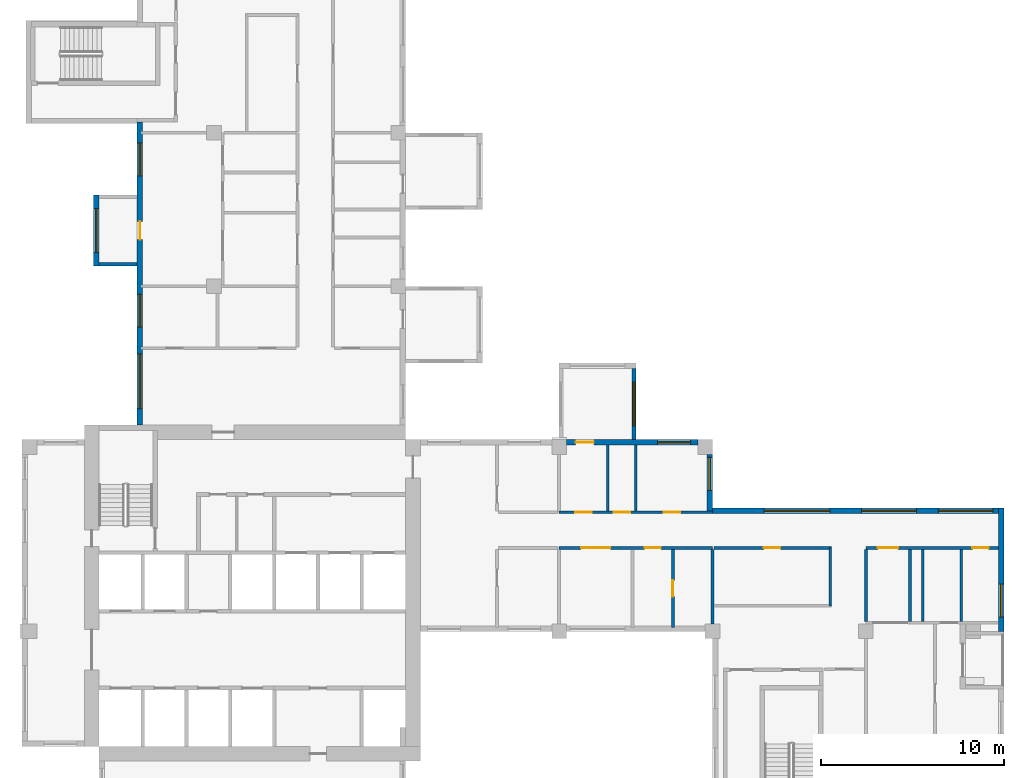
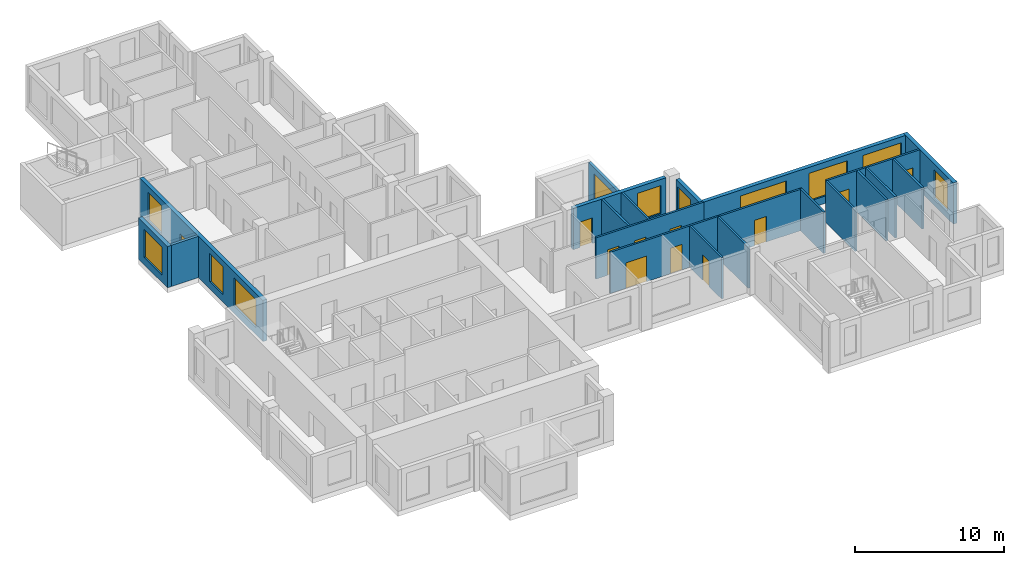
# One storey, part 5 of 11: 21 walls, 11 doors, 11 windows, 22 openings.
"""IFC4 building model written with IfcOpenShell, lengths in metres."""

from ifc_helpers import new_model, si_unit, direction, frame, frame_2d, origin, place, context, subcontext, project, spatial, rectangle, extrude, source, transform, mapped, material, layer, layer_set, type_object, element, fill, save


model = new_model("IFC4")

# Units and contexts
model_context = context("Model", 3, precision=1e-05, world=origin(), true_north=direction((0.0, 1.0)))
body_context = subcontext(model_context, "Body", "Model", "MODEL_VIEW")
ifc_project = project(units=[si_unit("LENGTHUNIT", "METRE"), si_unit("AREAUNIT", "SQUARE_METRE"), si_unit("VOLUMEUNIT", "CUBIC_METRE"), si_unit("PLANEANGLEUNIT", "RADIAN"), si_unit("MASSUNIT", "GRAM", prefix="KILO")], contexts=[model_context])

# Site, building, storey
site_placement = place(None, origin())
site = spatial("IfcSite", under=ifc_project, at=site_placement, CompositionType="ELEMENT")
building_placement = place(site_placement, origin())
building = spatial("IfcBuilding", under=site, at=building_placement, Name="Aurelian Terraces", CompositionType="ELEMENT")
storey_placement = place(building_placement, frame((0.0, 0.0, 257.6)))
storey = spatial("IfcBuildingStorey", under=building, at=storey_placement, Name="L59", CompositionType="ELEMENT", Elevation=257.6)

# Wall, opening, window
ifc_material_1 = material(Name="Concrete fc' 40 MPa", Category="concrete")
ifc_layer_1 = layer(ifc_material_1, 0.2)
ifc_layer_set_1 = layer_set([ifc_layer_1], Name="BOX BEARING WALL 200")
wall_type_1 = type_object("IfcWallType", Name="BOX BEARING WALL 200", PredefinedType="SOLIDWALL", material=ifc_layer_set_1)
shared_shape_1 = source(origin(), body_context, "Body", "SweptSolid", [
    extrude(rectangle(XDim=3.9, YDim=0.2, at=frame_2d((1.95, 0.0))), origin(), (0.0, 0.0, 1.0), 3.4),
])
wall_1_placement = place(storey_placement, frame((33.5, 21.0, 0.0), z_axis=(0.0, 0.0, 1.0), x_axis=(0.0, 1.0, 0.0)))
wall_1 = element("IfcWall", 1, at=wall_1_placement, inside=storey, type_object=wall_type_1, Name="Box return L59 J84.1", PredefinedType="SOLIDWALL", context=body_context, shape_type="MappedRepresentation", body=[
    mapped(shared_shape_1, transform((0.0, 0.0, 0.0), scale=1.0)),
])
shared_shape_2 = source(origin(), body_context, "Body", "SweptSolid", [
    extrude(rectangle(XDim=2.4, YDim=2.3, at=frame_2d((1.2, 1.15))), frame((0.0, 0.11, 0.0), z_axis=(0.0, -1.0, 0.0), x_axis=(1.0, 0.0, 0.0)), (0.0, 0.0, 1.0), 0.22),
])
opening_1_placement = place(wall_1_placement, frame((0.75, 0.0, 0.6)))
opening_1 = element("IfcOpeningElement", 2, at=opening_1_placement, cuts=wall_1, Name="Opening W2423", PredefinedType="OPENING", context=body_context, shape_type="MappedRepresentation", body=[
    mapped(shared_shape_2, transform((0.0, 0.0, 0.0), scale=1.0)),
])
ifc_material_2 = material(Name="Clear glazing", Category="glass")
window_type_1 = type_object("IfcWindowType", Name="W-2400x2300", PartitioningType="SINGLE_PANEL", PredefinedType="WINDOW", material=ifc_material_2)
shared_shape_3 = source(origin(), body_context, "Body", "SweptSolid", [
    extrude(rectangle(XDim=2.4, YDim=2.3, at=frame_2d((1.2, 1.15))), frame((0.0, 0.03, 0.0), z_axis=(0.0, -1.0, 0.0), x_axis=(1.0, 0.0, 0.0)), (0.0, 0.0, 1.0), 0.06),
])
window_1_placement = place(opening_1_placement, origin())
window_1 = element("IfcWindow", 3, at=window_1_placement, inside=storey, type_object=window_type_1, Name="Window L59 J84-S1", OverallHeight=2.3, OverallWidth=2.4, PartitioningType="SINGLE_PANEL", PredefinedType="WINDOW", context=body_context, shape_type="MappedRepresentation", body=[
    mapped(shared_shape_3, transform((0.0, 0.0, 0.0), scale=1.0)),
])
fill(opening_1, window_1)

# Wall, openings, windows, door
ifc_material_3 = material(Name="Terracotta rainscreen cladding", Category="masonry")
ifc_layer_2 = layer(ifc_material_3, 0.3)
ifc_layer_set_2 = layer_set([ifc_layer_2], Name="EW-300")
wall_type_2 = type_object("IfcWallType", Name="EW-300", PredefinedType="STANDARD", material=ifc_layer_set_2)
shared_shape_4 = source(origin(), body_context, "Body", "SweptSolid", [
    extrude(rectangle(XDim=16.6, YDim=0.3, at=frame_2d((8.3, 0.0))), origin(), (0.0, 0.0, 1.0), 3.4),
])
wall_2_placement = place(storey_placement, frame((6.45, 38.4, 0.0), z_axis=(0.0, 0.0, 1.0), x_axis=(0.0, -1.0, 0.0)))
wall_2 = element("IfcWall", 4, at=wall_2_placement, inside=storey, type_object=wall_type_2, Name="External wall L59 F20.32", PredefinedType="STANDARD", context=body_context, shape_type="MappedRepresentation", body=[
    mapped(shared_shape_4, transform((0.0, 0.0, 0.0), scale=1.0)),
])
shared_shape_5 = source(origin(), body_context, "Body", "SweptSolid", [
    extrude(rectangle(XDim=1.8, YDim=2.3, at=frame_2d((0.9, 1.15))), frame((0.0, 0.16, 0.0), z_axis=(0.0, -1.0, 0.0), x_axis=(1.0, 0.0, 0.0)), (0.0, 0.0, 1.0), 0.32),
])
opening_2_placement = place(wall_2_placement, frame((1.15, 0.0, 0.6)))
opening_2 = element("IfcOpeningElement", 5, at=opening_2_placement, cuts=wall_2, Name="Opening W1823", PredefinedType="OPENING", context=body_context, shape_type="MappedRepresentation", body=[
    mapped(shared_shape_5, transform((0.0, 0.0, 0.0), scale=1.0)),
])
opening_3_placement = place(wall_2_placement, frame((9.4375, 0.0, 0.6)))
opening_3 = element("IfcOpeningElement", 6, at=opening_3_placement, cuts=wall_2, Name="Opening W1823", PredefinedType="OPENING", context=body_context, shape_type="MappedRepresentation", body=[
    mapped(shared_shape_5, transform((0.0, 0.0, 0.0), scale=1.0)),
])
shared_shape_6 = source(origin(), body_context, "Body", "SweptSolid", [
    extrude(rectangle(XDim=3.0, YDim=2.3, at=frame_2d((1.5, 1.15))), frame((0.0, 0.16, 0.0), z_axis=(0.0, -1.0, 0.0), x_axis=(1.0, 0.0, 0.0)), (0.0, 0.0, 1.0), 0.32),
])
opening_4_placement = place(wall_2_placement, frame((12.7, 0.0, 0.6)))
opening_4 = element("IfcOpeningElement", 7, at=opening_4_placement, cuts=wall_2, Name="Opening W3023", PredefinedType="OPENING", context=body_context, shape_type="MappedRepresentation", body=[
    mapped(shared_shape_6, transform((0.0, 0.0, 0.0), scale=1.0)),
])
shared_shape_7 = source(origin(), body_context, "Body", "SweptSolid", [
    extrude(rectangle(XDim=1.0, YDim=2.1, at=frame_2d((0.5, 1.05))), frame((0.0, 0.16, 0.0), z_axis=(0.0, -1.0, 0.0), x_axis=(1.0, 0.0, 0.0)), (0.0, 0.0, 1.0), 0.32),
])
opening_5_placement = place(wall_2_placement, frame((5.45, 0.0, 0.0)))
opening_5 = element("IfcOpeningElement", 8, at=opening_5_placement, cuts=wall_2, Name="Opening 859003", PredefinedType="OPENING", context=body_context, shape_type="MappedRepresentation", body=[
    mapped(shared_shape_7, transform((0.0, 0.0, 0.0), scale=1.0)),
])
window_type_2 = type_object("IfcWindowType", Name="W-3000x2300", PartitioningType="SINGLE_PANEL", PredefinedType="WINDOW", material=ifc_material_2)
shared_shape_8 = source(origin(), body_context, "Body", "SweptSolid", [
    extrude(rectangle(XDim=3.0, YDim=2.3, at=frame_2d((1.5, 1.15))), frame((0.0, 0.03, 0.0), z_axis=(0.0, -1.0, 0.0), x_axis=(1.0, 0.0, 0.0)), (0.0, 0.0, 1.0), 0.06),
])
window_2_placement = place(opening_4_placement, origin())
window_2 = element("IfcWindow", 9, at=window_2_placement, inside=storey, type_object=window_type_2, Name="Window L59 L59-F20-32-3", OverallHeight=2.3, OverallWidth=3.0, PartitioningType="SINGLE_PANEL", PredefinedType="WINDOW", context=body_context, shape_type="MappedRepresentation", body=[
    mapped(shared_shape_8, transform((0.0, 0.0, 0.0), scale=1.0)),
])
fill(opening_4, window_2)
window_type_3 = type_object("IfcWindowType", Name="W-1800x2300", PartitioningType="SINGLE_PANEL", PredefinedType="WINDOW", material=ifc_material_2)
shared_shape_9 = source(origin(), body_context, "Body", "SweptSolid", [
    extrude(rectangle(XDim=1.8, YDim=2.3, at=frame_2d((0.9, 1.15))), frame((0.0, 0.03, 0.0), z_axis=(0.0, -1.0, 0.0), x_axis=(1.0, 0.0, 0.0)), (0.0, 0.0, 1.0), 0.06),
])
window_3_placement = place(opening_2_placement, origin())
window_3 = element("IfcWindow", 10, at=window_3_placement, inside=storey, type_object=window_type_3, Name="Window L59 L59-F20-32-0", OverallHeight=2.3, OverallWidth=1.8, PartitioningType="SINGLE_PANEL", PredefinedType="WINDOW", context=body_context, shape_type="MappedRepresentation", body=[
    mapped(shared_shape_9, transform((0.0, 0.0, 0.0), scale=1.0)),
])
fill(opening_2, window_3)
window_4_placement = place(opening_3_placement, origin())
window_4 = element("IfcWindow", 11, at=window_4_placement, inside=storey, type_object=window_type_3, Name="Window L59 L59-F20-32-2", OverallHeight=2.3, OverallWidth=1.8, PartitioningType="SINGLE_PANEL", PredefinedType="WINDOW", context=body_context, shape_type="MappedRepresentation", body=[
    mapped(shared_shape_9, transform((0.0, 0.0, 0.0), scale=1.0)),
])
fill(opening_3, window_4)
ifc_material_4 = material(Name="Timber door leaf", Category="wood")
door_type_1 = type_object("IfcDoorType", Name="Room door 1000x2100 left", OperationType="SINGLE_SWING_LEFT", PredefinedType="DOOR", material=ifc_material_4)
shared_shape_10 = source(origin(), body_context, "Body", "SweptSolid", [
    extrude(rectangle(XDim=1.0, YDim=2.1, at=frame_2d((0.5, 1.05))), frame((0.0, 0.025, 0.0), z_axis=(0.0, -1.0, 0.0), x_axis=(1.0, 0.0, 0.0)), (0.0, 0.0, 1.0), 0.05),
])
door_1_placement = place(opening_5_placement, origin())
door_1 = element("IfcDoor", 12, at=door_1_placement, inside=storey, type_object=door_type_1, Name="Door 859003", OperationType="SINGLE_SWING_LEFT", OverallHeight=2.1, OverallWidth=1.0, PredefinedType="DOOR", context=body_context, shape_type="MappedRepresentation", body=[
    mapped(shared_shape_10, transform((0.0, 0.0, 0.0), scale=1.0)),
])
fill(opening_5, door_1)

# Wall
shared_shape_11 = source(origin(), body_context, "Body", "SweptSolid", [
    extrude(rectangle(XDim=2.1, YDim=0.2, at=frame_2d((1.05, 0.0))), origin(), (0.0, 0.0, 1.0), 3.4),
])
wall_3_placement = place(storey_placement, frame((6.3, 30.6, 0.0), z_axis=(0.0, 0.0, 1.0), x_axis=(-1.0, 0.0, 0.0)))
element("IfcWall", 13, at=wall_3_placement, inside=storey, type_object=wall_type_1, Name="Box return L59 J85.2", PredefinedType="SOLIDWALL", context=body_context, shape_type="MappedRepresentation", body=[
    mapped(shared_shape_11, transform((0.0, 0.0, 0.0), scale=1.0)),
])

# Wall, opening, window
shared_shape_12 = source(origin(), body_context, "Body", "SweptSolid", [
    extrude(rectangle(XDim=6.75, YDim=0.3, at=frame_2d((3.375, 0.0))), origin(), (0.0, 0.0, 1.0), 3.4),
])
wall_4_placement = place(storey_placement, frame((53.61, 10.5, 0.0), z_axis=(0.0, 0.0, 1.0), x_axis=(0.0, 1.0, 0.0)))
wall_4 = element("IfcWall", 14, at=wall_4_placement, inside=storey, type_object=wall_type_2, Name="External wall L59 F08.15", PredefinedType="STANDARD", context=body_context, shape_type="MappedRepresentation", body=[
    mapped(shared_shape_12, transform((0.0, 0.0, 0.0), scale=1.0)),
])
opening_6_placement = place(wall_4_placement, frame((0.7875, 0.0, 0.6)))
opening_6 = element("IfcOpeningElement", 15, at=opening_6_placement, cuts=wall_4, Name="Opening W1823", PredefinedType="OPENING", context=body_context, shape_type="MappedRepresentation", body=[
    mapped(shared_shape_5, transform((0.0, 0.0, 0.0), scale=1.0)),
])
window_5_placement = place(opening_6_placement, origin())
window_5 = element("IfcWindow", 16, at=window_5_placement, inside=storey, type_object=window_type_3, Name="Window L59 L59-F08-15-0", OverallHeight=2.3, OverallWidth=1.8, PartitioningType="SINGLE_PANEL", PredefinedType="WINDOW", context=body_context, shape_type="MappedRepresentation", body=[
    mapped(shared_shape_9, transform((0.0, 0.0, 0.0), scale=1.0)),
])
fill(opening_6, window_5)

ifc_layer_3 = layer(ifc_material_1, 0.3)
ifc_layer_set_3 = layer_set([ifc_layer_3], Name="BOX BEARING WALL 300")
wall_type_3 = type_object("IfcWallType", Name="BOX BEARING WALL 300", PredefinedType="SOLIDWALL", material=ifc_layer_set_3)
shared_shape_13 = source(origin(), body_context, "Body", "SweptSolid", [
    extrude(rectangle(XDim=3.9, YDim=0.3, at=frame_2d((1.95, 0.0))), origin(), (0.0, 0.0, 1.0), 3.4),
])
wall_5_placement = place(storey_placement, frame((4.05, 34.4, 0.0), z_axis=(0.0, 0.0, 1.0), x_axis=(0.0, -1.0, 0.0)))
wall_5 = element("IfcWall", 17, at=wall_5_placement, inside=storey, type_object=wall_type_3, Name="Box wall L59 J85", PredefinedType="SOLIDWALL", context=body_context, shape_type="MappedRepresentation", body=[
    mapped(shared_shape_13, transform((0.0, 0.0, 0.0), scale=1.0)),
])
shared_shape_14 = source(origin(), body_context, "Body", "SweptSolid", [
    extrude(rectangle(XDim=2.4, YDim=2.3, at=frame_2d((1.2, 1.15))), frame((0.0, 0.16, 0.0), z_axis=(0.0, -1.0, 0.0), x_axis=(1.0, 0.0, 0.0)), (0.0, 0.0, 1.0), 0.32),
])
opening_7_placement = place(wall_5_placement, frame((0.75, 0.0, 0.6)))
opening_7 = element("IfcOpeningElement", 18, at=opening_7_placement, cuts=wall_5, Name="Opening W2423", PredefinedType="OPENING", context=body_context, shape_type="MappedRepresentation", body=[
    mapped(shared_shape_14, transform((0.0, 0.0, 0.0), scale=1.0)),
])
window_6_placement = place(opening_7_placement, origin())
window_6 = element("IfcWindow", 19, at=window_6_placement, inside=storey, type_object=window_type_1, Name="Window L59 J85-F1", OverallHeight=2.3, OverallWidth=2.4, PartitioningType="SINGLE_PANEL", PredefinedType="WINDOW", context=body_context, shape_type="MappedRepresentation", body=[
    mapped(shared_shape_3, transform((0.0, 0.0, 0.0), scale=1.0)),
])
fill(opening_7, window_6)

# Wall, openings, windows
shared_shape_15 = source(origin(), body_context, "Body", "SweptSolid", [
    extrude(rectangle(XDim=15.96, YDim=0.3, at=frame_2d((7.98, 0.0))), origin(), (0.0, 0.0, 1.0), 3.4),
])
wall_6_placement = place(storey_placement, frame((53.76, 17.1, 0.0), z_axis=(0.0, 0.0, 1.0), x_axis=(-1.0, 0.0, 0.0)))
wall_6 = element("IfcWall", 20, at=wall_6_placement, inside=storey, type_object=wall_type_2, Name="External wall L59 F09.16", PredefinedType="STANDARD", context=body_context, shape_type="MappedRepresentation", body=[
    mapped(shared_shape_15, transform((0.0, 0.0, 0.0), scale=1.0)),
])
opening_8_placement = place(wall_6_placement, frame((0.6, 0.0, 0.6)))
opening_8 = element("IfcOpeningElement", 21, at=opening_8_placement, cuts=wall_6, Name="Opening W3023", PredefinedType="OPENING", context=body_context, shape_type="MappedRepresentation", body=[
    mapped(shared_shape_6, transform((0.0, 0.0, 0.0), scale=1.0)),
])
opening_9_placement = place(wall_6_placement, frame((4.8, 0.0, 0.6)))
opening_9 = element("IfcOpeningElement", 22, at=opening_9_placement, cuts=wall_6, Name="Opening W3023", PredefinedType="OPENING", context=body_context, shape_type="MappedRepresentation", body=[
    mapped(shared_shape_6, transform((0.0, 0.0, 0.0), scale=1.0)),
])
shared_shape_16 = source(origin(), body_context, "Body", "SweptSolid", [
    extrude(rectangle(XDim=3.6, YDim=2.3, at=frame_2d((1.8, 1.15))), frame((0.0, 0.16, 0.0), z_axis=(0.0, -1.0, 0.0), x_axis=(1.0, 0.0, 0.0)), (0.0, 0.0, 1.0), 0.32),
])
opening_10_placement = place(wall_6_placement, frame((9.54, 0.0, 0.6)))
opening_10 = element("IfcOpeningElement", 23, at=opening_10_placement, cuts=wall_6, Name="Opening W3623", PredefinedType="OPENING", context=body_context, shape_type="MappedRepresentation", body=[
    mapped(shared_shape_16, transform((0.0, 0.0, 0.0), scale=1.0)),
])
window_type_4 = type_object("IfcWindowType", Name="W-3600x2300", PartitioningType="SINGLE_PANEL", PredefinedType="WINDOW", material=ifc_material_2)
shared_shape_17 = source(origin(), body_context, "Body", "SweptSolid", [
    extrude(rectangle(XDim=3.6, YDim=2.3, at=frame_2d((1.8, 1.15))), frame((0.0, 0.03, 0.0), z_axis=(0.0, -1.0, 0.0), x_axis=(1.0, 0.0, 0.0)), (0.0, 0.0, 1.0), 0.06),
])
window_7_placement = place(opening_10_placement, origin())
window_7 = element("IfcWindow", 24, at=window_7_placement, inside=storey, type_object=window_type_4, Name="Window L59 L59-F09-16-2", OverallHeight=2.3, OverallWidth=3.6, PartitioningType="SINGLE_PANEL", PredefinedType="WINDOW", context=body_context, shape_type="MappedRepresentation", body=[
    mapped(shared_shape_17, transform((0.0, 0.0, 0.0), scale=1.0)),
])
fill(opening_10, window_7)
window_8_placement = place(opening_8_placement, origin())
window_8 = element("IfcWindow", 25, at=window_8_placement, inside=storey, type_object=window_type_2, Name="Window L59 L59-F09-16-0", OverallHeight=2.3, OverallWidth=3.0, PartitioningType="SINGLE_PANEL", PredefinedType="WINDOW", context=body_context, shape_type="MappedRepresentation", body=[
    mapped(shared_shape_8, transform((0.0, 0.0, 0.0), scale=1.0)),
])
fill(opening_8, window_8)
window_9_placement = place(opening_9_placement, origin())
window_9 = element("IfcWindow", 26, at=window_9_placement, inside=storey, type_object=window_type_2, Name="Window L59 L59-F09-16-1", OverallHeight=2.3, OverallWidth=3.0, PartitioningType="SINGLE_PANEL", PredefinedType="WINDOW", context=body_context, shape_type="MappedRepresentation", body=[
    mapped(shared_shape_8, transform((0.0, 0.0, 0.0), scale=1.0)),
])
fill(opening_9, window_9)

# Wall, openings, window, door
shared_shape_18 = source(origin(), body_context, "Body", "SweptSolid", [
    extrude(rectangle(XDim=7.2, YDim=0.3, at=frame_2d((3.6, 0.0))), origin(), (0.0, 0.0, 1.0), 3.4),
])
wall_7_placement = place(storey_placement, frame((37.0, 20.85, 0.0), z_axis=(0.0, 0.0, 1.0), x_axis=(-1.0, 0.0, 0.0)))
wall_7 = element("IfcWall", 27, at=wall_7_placement, inside=storey, type_object=wall_type_2, Name="External wall L59 F11.18", PredefinedType="STANDARD", context=body_context, shape_type="MappedRepresentation", body=[
    mapped(shared_shape_18, transform((0.0, 0.0, 0.0), scale=1.0)),
])
opening_11_placement = place(wall_7_placement, frame((0.4, 0.0, 0.6)))
opening_11 = element("IfcOpeningElement", 28, at=opening_11_placement, cuts=wall_7, Name="Opening W1823", PredefinedType="OPENING", context=body_context, shape_type="MappedRepresentation", body=[
    mapped(shared_shape_5, transform((0.0, 0.0, 0.0), scale=1.0)),
])
opening_12_placement = place(wall_7_placement, frame((5.7, 0.0, 0.0)))
opening_12 = element("IfcOpeningElement", 29, at=opening_12_placement, cuts=wall_7, Name="Opening 859002", PredefinedType="OPENING", context=body_context, shape_type="MappedRepresentation", body=[
    mapped(shared_shape_7, transform((0.0, 0.0, 0.0), scale=1.0)),
])
window_10_placement = place(opening_11_placement, origin())
window_10 = element("IfcWindow", 30, at=window_10_placement, inside=storey, type_object=window_type_3, Name="Window L59 L59-F11-18-0", OverallHeight=2.3, OverallWidth=1.8, PartitioningType="SINGLE_PANEL", PredefinedType="WINDOW", context=body_context, shape_type="MappedRepresentation", body=[
    mapped(shared_shape_9, transform((0.0, 0.0, 0.0), scale=1.0)),
])
fill(opening_11, window_10)
door_2_placement = place(opening_12_placement, origin())
door_2 = element("IfcDoor", 31, at=door_2_placement, inside=storey, type_object=door_type_1, Name="Door 859002", OperationType="SINGLE_SWING_LEFT", OverallHeight=2.1, OverallWidth=1.0, PredefinedType="DOOR", context=body_context, shape_type="MappedRepresentation", body=[
    mapped(shared_shape_10, transform((0.0, 0.0, 0.0), scale=1.0)),
])
fill(opening_12, door_2)

# Wall, opening, window
shared_shape_19 = source(origin(), body_context, "Body", "SweptSolid", [
    extrude(rectangle(XDim=3.1, YDim=0.3, at=frame_2d((1.55, 0.0))), origin(), (0.0, 0.0, 1.0), 3.4),
])
wall_8_placement = place(storey_placement, frame((37.65, 17.1, 0.0), z_axis=(0.0, 0.0, 1.0), x_axis=(0.0, 1.0, 0.0)))
wall_8 = element("IfcWall", 32, at=wall_8_placement, inside=storey, type_object=wall_type_2, Name="External wall L59 F10.17", PredefinedType="STANDARD", context=body_context, shape_type="MappedRepresentation", body=[
    mapped(shared_shape_19, transform((0.0, 0.0, 0.0), scale=1.0)),
])
opening_13_placement = place(wall_8_placement, frame((1.125, 0.0, 0.6)))
opening_13 = element("IfcOpeningElement", 33, at=opening_13_placement, cuts=wall_8, Name="Opening W1823", PredefinedType="OPENING", context=body_context, shape_type="MappedRepresentation", body=[
    mapped(shared_shape_5, transform((0.0, 0.0, 0.0), scale=1.0)),
])
window_11_placement = place(opening_13_placement, origin())
window_11 = element("IfcWindow", 34, at=window_11_placement, inside=storey, type_object=window_type_3, Name="Window L59 L59-F10-17-0", OverallHeight=2.3, OverallWidth=1.8, PartitioningType="SINGLE_PANEL", PredefinedType="WINDOW", context=body_context, shape_type="MappedRepresentation", body=[
    mapped(shared_shape_9, transform((0.0, 0.0, 0.0), scale=1.0)),
])
fill(opening_13, window_11)

# Wall, opening, door
ifc_material_5 = material(Name="Gypsum board on steel studs", Category="steel")
ifc_layer_4 = layer(ifc_material_5, 0.15)
ifc_layer_set_4 = layer_set([ifc_layer_4], Name="Fire partition 150")
wall_type_4 = type_object("IfcWallType", Name="Fire partition 150", PredefinedType="PARTITIONING", material=ifc_layer_set_4)
shared_shape_20 = source(origin(), body_context, "Body", "SweptSolid", [
    extrude(rectangle(XDim=6.45, YDim=0.15, at=frame_2d((3.225, 0.0))), origin(), (0.0, 0.0, 1.0), 3.4),
])
wall_9_placement = place(storey_placement, frame((44.325, 15.075, 0.0), z_axis=(0.0, 0.0, 1.0), x_axis=(-1.0, 0.0, 0.0)))
wall_9 = element("IfcWall", 35, at=wall_9_placement, inside=storey, type_object=wall_type_4, Name="Corridor wall", PredefinedType="PARTITIONING", context=body_context, shape_type="MappedRepresentation", body=[
    mapped(shared_shape_20, transform((0.0, 0.0, 0.0), scale=1.0)),
])
shared_shape_21 = source(origin(), body_context, "Body", "SweptSolid", [
    extrude(rectangle(XDim=0.9, YDim=2.1, at=frame_2d((0.45, 1.05))), frame((0.0, 0.085, 0.0), z_axis=(0.0, -1.0, 0.0), x_axis=(1.0, 0.0, 0.0)), (0.0, 0.0, 1.0), 0.17),
])
opening_14_placement = place(wall_9_placement, frame((2.8125, 0.0, 0.0)))
opening_14 = element("IfcOpeningElement", 36, at=opening_14_placement, cuts=wall_9, Name="Opening 759003", PredefinedType="OPENING", context=body_context, shape_type="MappedRepresentation", body=[
    mapped(shared_shape_21, transform((0.0, 0.0, 0.0), scale=1.0)),
])
door_type_2 = type_object("IfcDoorType", Name="Room door 900x2100 left", OperationType="SINGLE_SWING_LEFT", PredefinedType="DOOR", material=ifc_material_4)
shared_shape_22 = source(origin(), body_context, "Body", "SweptSolid", [
    extrude(rectangle(XDim=0.9, YDim=2.1, at=frame_2d((0.45, 1.05))), frame((0.0, 0.025, 0.0), z_axis=(0.0, -1.0, 0.0), x_axis=(1.0, 0.0, 0.0)), (0.0, 0.0, 1.0), 0.05),
])
door_3_placement = place(opening_14_placement, origin())
door_3 = element("IfcDoor", 37, at=door_3_placement, inside=storey, type_object=door_type_2, Name="Door 759003", OperationType="SINGLE_SWING_LEFT", OverallHeight=2.1, OverallWidth=0.9, PredefinedType="DOOR", context=body_context, shape_type="MappedRepresentation", body=[
    mapped(shared_shape_22, transform((0.0, 0.0, 0.0), scale=1.0)),
])
fill(opening_14, door_3)

# Walls
ifc_layer_5 = layer(ifc_material_5, 0.15)
ifc_layer_set_5 = layer_set([ifc_layer_5], Name="Partition 150")
wall_type_5 = type_object("IfcWallType", Name="Partition 150", PredefinedType="PARTITIONING", material=ifc_layer_set_5)
shared_shape_23 = source(origin(), body_context, "Body", "SweptSolid", [
    extrude(rectangle(XDim=3.6, YDim=0.15, at=frame_2d((1.8, 0.0))), origin(), (0.0, 0.0, 1.0), 3.4),
])
wall_10_placement = place(storey_placement, frame((32.067, 20.7, 0.0), z_axis=(0.0, 0.0, 1.0), x_axis=(0.0, -1.0, 0.0)))
element("IfcWall", 38, at=wall_10_placement, inside=storey, type_object=wall_type_5, Name="Partition", PredefinedType="PARTITIONING", context=body_context, shape_type="MappedRepresentation", body=[
    mapped(shared_shape_23, transform((0.0, 0.0, 0.0), scale=1.0)),
])
wall_11_placement = place(storey_placement, frame((33.6, 17.1, 0.0), z_axis=(0.0, 0.0, 1.0), x_axis=(0.0, 1.0, 0.0)))
element("IfcWall", 39, at=wall_11_placement, inside=storey, type_object=wall_type_4, Name="Party wall", PredefinedType="PARTITIONING", context=body_context, shape_type="MappedRepresentation", body=[
    mapped(shared_shape_23, transform((0.0, 0.0, 0.0), scale=1.0)),
])

# Wall, openings, doors
shared_shape_24 = source(origin(), body_context, "Body", "SweptSolid", [
    extrude(rectangle(XDim=8.4, YDim=0.15, at=frame_2d((4.2, 0.0))), origin(), (0.0, 0.0, 1.0), 3.4),
])
wall_12_placement = place(storey_placement, frame((37.8, 15.075, 0.0), z_axis=(0.0, 0.0, 1.0), x_axis=(-1.0, 0.0, 0.0)))
wall_12 = element("IfcWall", 40, at=wall_12_placement, inside=storey, type_object=wall_type_4, Name="Corridor wall", PredefinedType="PARTITIONING", context=body_context, shape_type="MappedRepresentation", body=[
    mapped(shared_shape_24, transform((0.0, 0.0, 0.0), scale=1.0)),
])
shared_shape_25 = source(origin(), body_context, "Body", "SweptSolid", [
    extrude(rectangle(XDim=1.6, YDim=2.1, at=frame_2d((0.8, 1.05))), frame((0.0, 0.085, 0.0), z_axis=(0.0, -1.0, 0.0), x_axis=(1.0, 0.0, 0.0)), (0.0, 0.0, 1.0), 0.17),
])
opening_15_placement = place(wall_12_placement, frame((5.5888, 0.0, 0.0)))
opening_15 = element("IfcOpeningElement", 41, at=opening_15_placement, cuts=wall_12, Name="Opening 759005", PredefinedType="OPENING", context=body_context, shape_type="MappedRepresentation", body=[
    mapped(shared_shape_25, transform((0.0, 0.0, 0.0), scale=1.0)),
])
opening_16_placement = place(wall_12_placement, frame((2.8224, 0.0, 0.0)))
opening_16 = element("IfcOpeningElement", 42, at=opening_16_placement, cuts=wall_12, Name="Opening 759006", PredefinedType="OPENING", context=body_context, shape_type="MappedRepresentation", body=[
    mapped(shared_shape_21, transform((0.0, 0.0, 0.0), scale=1.0)),
])
ifc_material_6 = material(Name="Steel door leaf", Category="steel")
door_type_3 = type_object("IfcDoorType", Name="Entrance fire door 900x2100 right", OperationType="SINGLE_SWING_RIGHT", PredefinedType="DOOR", material=ifc_material_6)
door_4_placement = place(opening_16_placement, origin())
door_4 = element("IfcDoor", 43, at=door_4_placement, inside=storey, type_object=door_type_3, Name="Door 759006", OperationType="SINGLE_SWING_RIGHT", OverallHeight=2.1, OverallWidth=0.9, PredefinedType="DOOR", context=body_context, shape_type="MappedRepresentation", body=[
    mapped(shared_shape_22, transform((0.0, 0.0, 0.0), scale=1.0)),
])
fill(opening_16, door_4)
door_type_4 = type_object("IfcDoorType", Name="Entrance fire door 1600x2100 right", OperationType="SINGLE_SWING_RIGHT", PredefinedType="DOOR", material=ifc_material_6)
shared_shape_26 = source(origin(), body_context, "Body", "SweptSolid", [
    extrude(rectangle(XDim=1.6, YDim=2.1, at=frame_2d((0.8, 1.05))), frame((0.0, 0.025, 0.0), z_axis=(0.0, -1.0, 0.0), x_axis=(1.0, 0.0, 0.0)), (0.0, 0.0, 1.0), 0.05),
])
door_5_placement = place(opening_15_placement, origin())
door_5 = element("IfcDoor", 44, at=door_5_placement, inside=storey, type_object=door_type_4, Name="Door 759005", OperationType="SINGLE_SWING_RIGHT", OverallHeight=2.1, OverallWidth=1.6, PredefinedType="DOOR", context=body_context, shape_type="MappedRepresentation", body=[
    mapped(shared_shape_26, transform((0.0, 0.0, 0.0), scale=1.0)),
])
fill(opening_15, door_5)

wall_13_placement = place(storey_placement, frame((29.4, 17.025, 0.0), z_axis=(0.0, 0.0, 1.0), x_axis=(1.0, 0.0, 0.0)))
wall_13 = element("IfcWall", 45, at=wall_13_placement, inside=storey, type_object=wall_type_4, Name="Corridor wall", PredefinedType="PARTITIONING", context=body_context, shape_type="MappedRepresentation", body=[
    mapped(shared_shape_24, transform((0.0, 0.0, 0.0), scale=1.0)),
])
opening_17_placement = place(wall_13_placement, frame((0.8835, 0.0, 0.0)))
opening_17 = element("IfcOpeningElement", 46, at=opening_17_placement, cuts=wall_13, Name="Opening 759013", PredefinedType="OPENING", context=body_context, shape_type="MappedRepresentation", body=[
    mapped(shared_shape_21, transform((0.0, 0.0, 0.0), scale=1.0)),
])
opening_18_placement = place(wall_13_placement, frame((2.9835, 0.0, 0.0)))
opening_18 = element("IfcOpeningElement", 47, at=opening_18_placement, cuts=wall_13, Name="Opening 759014", PredefinedType="OPENING", context=body_context, shape_type="MappedRepresentation", body=[
    mapped(shared_shape_21, transform((0.0, 0.0, 0.0), scale=1.0)),
])
opening_19_placement = place(wall_13_placement, frame((5.7375, 0.0, 0.0)))
opening_19 = element("IfcOpeningElement", 48, at=opening_19_placement, cuts=wall_13, Name="Opening 759036", PredefinedType="OPENING", context=body_context, shape_type="MappedRepresentation", body=[
    mapped(shared_shape_21, transform((0.0, 0.0, 0.0), scale=1.0)),
])
door_6_placement = place(opening_17_placement, origin())
door_6 = element("IfcDoor", 49, at=door_6_placement, inside=storey, type_object=door_type_3, Name="Door 759013", OperationType="SINGLE_SWING_RIGHT", OverallHeight=2.1, OverallWidth=0.9, PredefinedType="DOOR", context=body_context, shape_type="MappedRepresentation", body=[
    mapped(shared_shape_22, transform((0.0, 0.0, 0.0), scale=1.0)),
])
fill(opening_17, door_6)
door_type_5 = type_object("IfcDoorType", Name="Entrance fire door 900x2100 left", OperationType="SINGLE_SWING_LEFT", PredefinedType="DOOR", material=ifc_material_6)
door_7_placement = place(opening_18_placement, origin())
door_7 = element("IfcDoor", 50, at=door_7_placement, inside=storey, type_object=door_type_5, Name="Door 759014", OperationType="SINGLE_SWING_LEFT", OverallHeight=2.1, OverallWidth=0.9, PredefinedType="DOOR", context=body_context, shape_type="MappedRepresentation", body=[
    mapped(shared_shape_22, transform((0.0, 0.0, 0.0), scale=1.0)),
])
fill(opening_18, door_7)
door_8_placement = place(opening_19_placement, origin())
door_8 = element("IfcDoor", 51, at=door_8_placement, inside=storey, type_object=door_type_2, Name="Door 759036", OperationType="SINGLE_SWING_LEFT", OverallHeight=2.1, OverallWidth=0.9, PredefinedType="DOOR", context=body_context, shape_type="MappedRepresentation", body=[
    mapped(shared_shape_22, transform((0.0, 0.0, 0.0), scale=1.0)),
])
fill(opening_19, door_8)

shared_shape_27 = source(origin(), body_context, "Body", "SweptSolid", [
    extrude(rectangle(XDim=7.26, YDim=0.15, at=frame_2d((3.63, 0.0))), origin(), (0.0, 0.0, 1.0), 3.4),
])
wall_14_placement = place(storey_placement, frame((53.46, 15.075, 0.0), z_axis=(0.0, 0.0, 1.0), x_axis=(-1.0, 0.0, 0.0)))
wall_14 = element("IfcWall", 52, at=wall_14_placement, inside=storey, type_object=wall_type_4, Name="Corridor wall", PredefinedType="PARTITIONING", context=body_context, shape_type="MappedRepresentation", body=[
    mapped(shared_shape_27, transform((0.0, 0.0, 0.0), scale=1.0)),
])
shared_shape_28 = source(origin(), body_context, "Body", "SweptSolid", [
    extrude(rectangle(XDim=1.1, YDim=2.1, at=frame_2d((0.55, 1.05))), frame((0.0, 0.085, 0.0), z_axis=(0.0, -1.0, 0.0), x_axis=(1.0, 0.0, 0.0)), (0.0, 0.0, 1.0), 0.17),
])
opening_20_placement = place(wall_14_placement, frame((5.5018, 0.0, 0.0)))
opening_20 = element("IfcOpeningElement", 53, at=opening_20_placement, cuts=wall_14, Name="Opening 759007", PredefinedType="OPENING", context=body_context, shape_type="MappedRepresentation", body=[
    mapped(shared_shape_28, transform((0.0, 0.0, 0.0), scale=1.0)),
])
opening_21_placement = place(wall_14_placement, frame((0.5364, 0.0, 0.0)))
opening_21 = element("IfcOpeningElement", 54, at=opening_21_placement, cuts=wall_14, Name="Opening 759011", PredefinedType="OPENING", context=body_context, shape_type="MappedRepresentation", body=[
    mapped(shared_shape_21, transform((0.0, 0.0, 0.0), scale=1.0)),
])
door_9_placement = place(opening_21_placement, origin())
door_9 = element("IfcDoor", 55, at=door_9_placement, inside=storey, type_object=door_type_3, Name="Door 759011", OperationType="SINGLE_SWING_RIGHT", OverallHeight=2.1, OverallWidth=0.9, PredefinedType="DOOR", context=body_context, shape_type="MappedRepresentation", body=[
    mapped(shared_shape_22, transform((0.0, 0.0, 0.0), scale=1.0)),
])
fill(opening_21, door_9)
door_type_6 = type_object("IfcDoorType", Name="Entrance fire door 1100x2100 right", OperationType="SINGLE_SWING_RIGHT", PredefinedType="DOOR", material=ifc_material_6)
shared_shape_29 = source(origin(), body_context, "Body", "SweptSolid", [
    extrude(rectangle(XDim=1.1, YDim=2.1, at=frame_2d((0.55, 1.05))), frame((0.0, 0.025, 0.0), z_axis=(0.0, -1.0, 0.0), x_axis=(1.0, 0.0, 0.0)), (0.0, 0.0, 1.0), 0.05),
])
door_10_placement = place(opening_20_placement, origin())
door_10 = element("IfcDoor", 56, at=door_10_placement, inside=storey, type_object=door_type_6, Name="Door 759007", OperationType="SINGLE_SWING_RIGHT", OverallHeight=2.1, OverallWidth=1.1, PredefinedType="DOOR", context=body_context, shape_type="MappedRepresentation", body=[
    mapped(shared_shape_29, transform((0.0, 0.0, 0.0), scale=1.0)),
])
fill(opening_20, door_10)

# Wall, opening, door
shared_shape_30 = source(origin(), body_context, "Body", "SweptSolid", [
    extrude(rectangle(XDim=4.295, YDim=0.15, at=frame_2d((2.1475, 0.0))), origin(), (0.0, 0.0, 1.0), 3.4),
])
wall_15_placement = place(storey_placement, frame((35.6329, 10.705, 0.0), z_axis=(0.0, 0.0, 1.0), x_axis=(0.0, 1.0, 0.0)))
wall_15 = element("IfcWall", 57, at=wall_15_placement, inside=storey, type_object=wall_type_5, Name="Partition", PredefinedType="PARTITIONING", context=body_context, shape_type="MappedRepresentation", body=[
    mapped(shared_shape_30, transform((0.0, 0.0, 0.0), scale=1.0)),
])
opening_22_placement = place(wall_15_placement, frame((1.6975, 0.0, 0.0)))
opening_22 = element("IfcOpeningElement", 58, at=opening_22_placement, cuts=wall_15, Name="Opening 759035", PredefinedType="OPENING", context=body_context, shape_type="MappedRepresentation", body=[
    mapped(shared_shape_21, transform((0.0, 0.0, 0.0), scale=1.0)),
])
door_11_placement = place(opening_22_placement, origin())
door_11 = element("IfcDoor", 59, at=door_11_placement, inside=storey, type_object=door_type_2, Name="Door 759035", OperationType="SINGLE_SWING_LEFT", OverallHeight=2.1, OverallWidth=0.9, PredefinedType="DOOR", context=body_context, shape_type="MappedRepresentation", body=[
    mapped(shared_shape_22, transform((0.0, 0.0, 0.0), scale=1.0)),
])
fill(opening_22, door_11)

# Walls
shared_shape_31 = source(origin(), body_context, "Body", "SweptSolid", [
    extrude(rectangle(XDim=3.175, YDim=0.15, at=frame_2d((1.5875, 0.0))), origin(), (0.0, 0.0, 1.0), 3.4),
])
wall_16_placement = place(storey_placement, frame((44.25, 11.9, 0.0), z_axis=(0.0, 0.0, 1.0), x_axis=(0.0, 1.0, 0.0)))
element("IfcWall", 60, at=wall_16_placement, inside=storey, type_object=wall_type_5, Name="Partition", PredefinedType="PARTITIONING", context=body_context, shape_type="MappedRepresentation", body=[
    mapped(shared_shape_31, transform((0.0, 0.0, 0.0), scale=1.0)),
])
shared_shape_32 = source(origin(), body_context, "Body", "SweptSolid", [
    extrude(rectangle(XDim=3.95, YDim=0.15, at=frame_2d((1.975, 0.0))), origin(), (0.0, 0.0, 1.0), 3.4),
])
for number, where, z_axis, x_axis, name in (
    (61, (48.6165, 11.05, 0.0), (0.0, 0.0, 1.0), (0.0, 1.0, 0.0), "Partition"),
    (62, (49.3093, 11.05, 0.0), (0.0, 0.0, 1.0), (0.0, 1.0, 0.0), "Partition"),
    (63, (51.4123, 11.05, 0.0), (0.0, 0.0, 1.0), (0.0, 1.0, 0.0), "Partition"),
):
    element("IfcWall", number, at=place(storey_placement, frame(where, z_axis=z_axis, x_axis=x_axis)), inside=storey, type_object=wall_type_5, Name=name, PredefinedType="PARTITIONING", context=body_context, shape_type="MappedRepresentation", body=[
        mapped(shared_shape_32, transform((0.0, 0.0, 0.0), scale=1.0)),
    ])
wall_17_placement = place(storey_placement, frame((46.2, 11.05, 0.0), z_axis=(0.0, 0.0, 1.0), x_axis=(0.0, 1.0, 0.0)))
element("IfcWall", 64, at=wall_17_placement, inside=storey, type_object=wall_type_4, Name="Party wall", PredefinedType="PARTITIONING", context=body_context, shape_type="MappedRepresentation", body=[
    mapped(shared_shape_32, transform((0.0, 0.0, 0.0), scale=1.0)),
])
shared_shape_33 = source(origin(), body_context, "Body", "SweptSolid", [
    extrude(rectangle(XDim=4.101, YDim=0.15, at=frame_2d((2.0505, 0.0))), origin(), (0.0, 0.0, 1.0), 3.4),
])
wall_18_placement = place(storey_placement, frame((37.8, 10.899, 0.0), z_axis=(0.0, 0.0, 1.0), x_axis=(0.0, 1.0, 0.0)))
element("IfcWall", 65, at=wall_18_placement, inside=storey, type_object=wall_type_4, Name="Party wall", PredefinedType="PARTITIONING", context=body_context, shape_type="MappedRepresentation", body=[
    mapped(shared_shape_33, transform((0.0, 0.0, 0.0), scale=1.0)),
])

save(model, "model.ifc")
